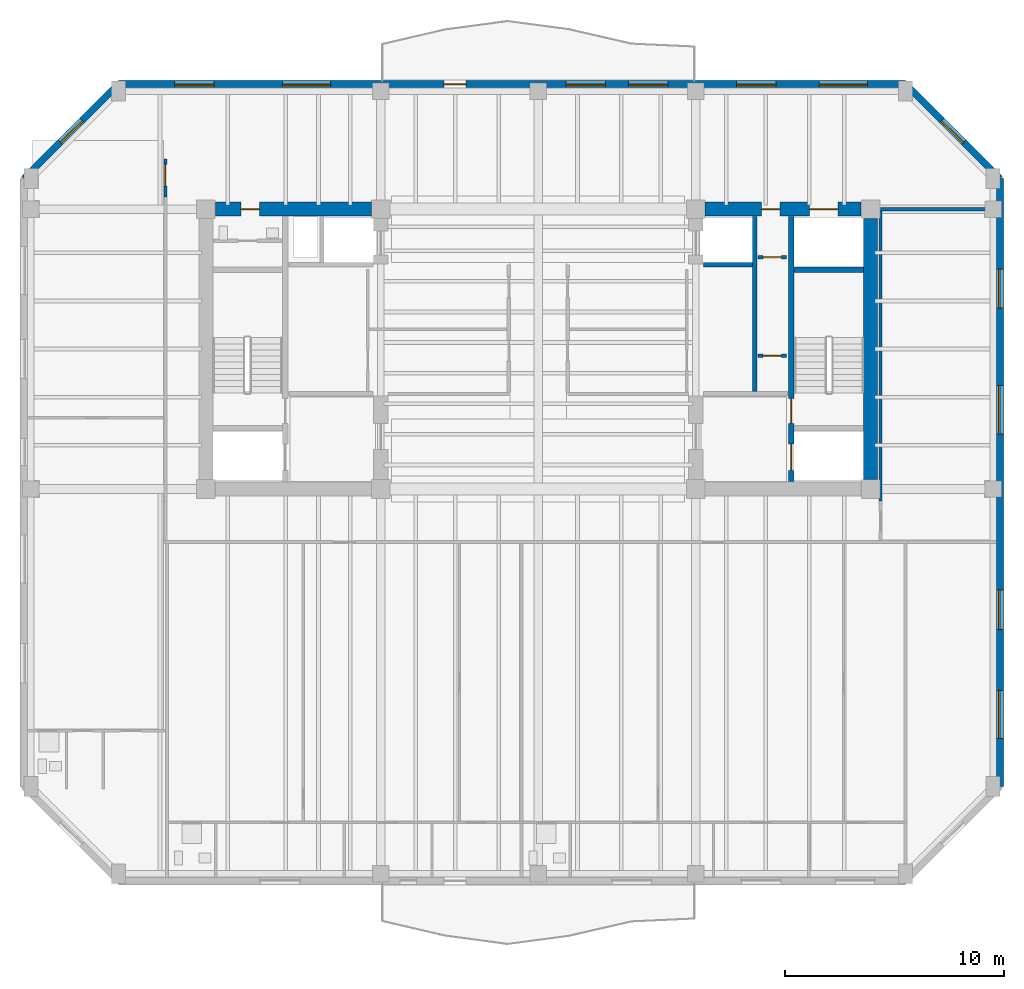
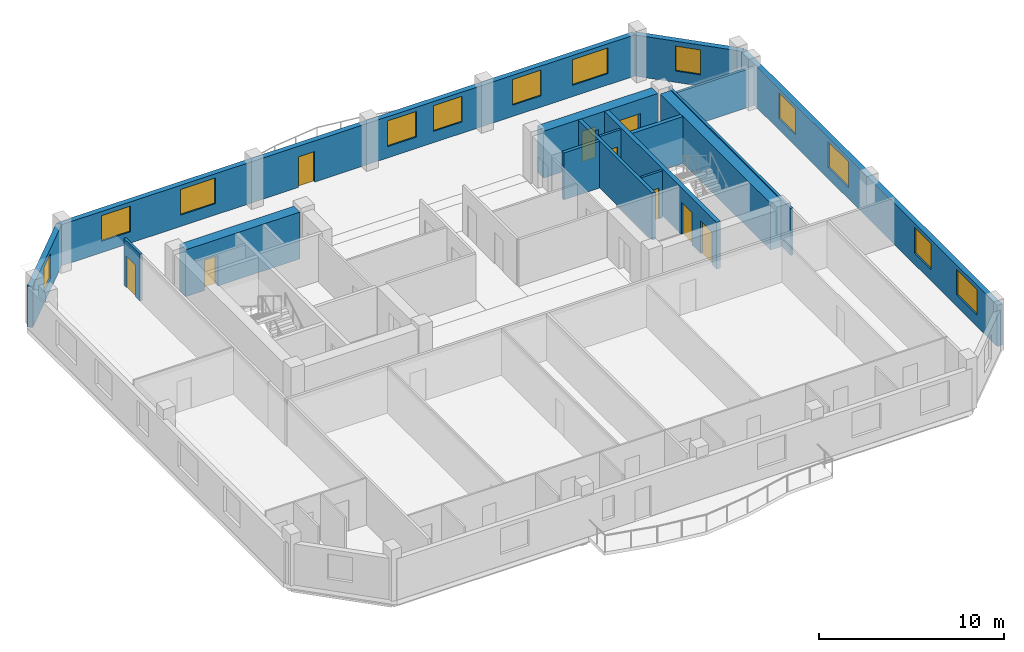
# One storey, part 5 of 11: 16 walls, 12 windows, 9 doors, 21 openings.
"""IFC4 building model written with IfcOpenShell, lengths in metres."""

from ifc_helpers import new_model, si_unit, direction, frame, frame_2d, origin, place, context, subcontext, project, spatial, rectangle, extrude, material, layer, layer_set, type_object, element, fill, save


model = new_model("IFC4")

# Units and contexts
model_context = context("Model", 3, precision=1e-05, world=origin(), true_north=direction((0.0, 1.0)))
body_context = subcontext(model_context, "Body", "Model", "MODEL_VIEW")
ifc_project = project(units=[si_unit("LENGTHUNIT", "METRE"), si_unit("AREAUNIT", "SQUARE_METRE"), si_unit("VOLUMEUNIT", "CUBIC_METRE"), si_unit("PLANEANGLEUNIT", "RADIAN"), si_unit("MASSUNIT", "GRAM", prefix="KILO")], contexts=[model_context])

# Site, building, storey
site_placement = place(None, origin())
site = spatial("IfcSite", under=ifc_project, at=site_placement, CompositionType="ELEMENT")
building_placement = place(site_placement, origin())
building = spatial("IfcBuilding", under=site, at=building_placement, Name="Kranthara Brick Stack", CompositionType="ELEMENT")
storey_placement = place(building_placement, frame((0.0, 0.0, 210.89990234375)))
storey = spatial("IfcBuildingStorey", under=building, at=storey_placement, Name="L54", CompositionType="ELEMENT", Elevation=210.89990234375)

# Wall, opening, window
ifc_material_1 = material(Name="Warm buff clay brick masonry M15", Category="masonry")
ifc_layer_1 = layer(ifc_material_1, 0.320068359375)
ifc_layer_set_1 = layer_set([ifc_layer_1], Name="Warm buff clay brick masonry M15")
wall_type_1 = type_object("IfcWallType", Name="WL-BRK-UPPR-320", PredefinedType="STANDARD", material=ifc_layer_set_1)
wall_1_placement = place(storey_placement, frame((4.47998046875, 35.0, 0.0), z_axis=(0.0, 0.0, 1.0), x_axis=(0.707106781187, 0.707106781187, 0.0)))
wall_1 = element("IfcWall", 1, at=wall_1_placement, inside=storey, type_object=wall_type_1, Name="L54 Exterior Brick Facade Wall NW 1", PredefinedType="STANDARD", context=body_context, shape_type="SweptSolid", body=[
    extrude(rectangle(XDim=6.109619140625, YDim=0.320068359375, at=frame_2d((3.0546875, 0.0))), origin(), (0.0, 0.0, 1.0), 2.72509765625),
])
opening_1_placement = place(wall_1_placement, frame((2.35498046875, 0.0, 0.75)))
opening_1 = element("IfcOpeningElement", 2, at=opening_1_placement, cuts=wall_1, Name="Opening WN10", PredefinedType="OPENING", context=body_context, shape_type="SweptSolid", body=[
    extrude(rectangle(XDim=1.39990234375, YDim=1.64990234375, at=frame_2d((0.699951171875, 0.824951171875))), frame((0.0, 0.169921875, 0.0), z_axis=(0.0, -1.0, 0.0), x_axis=(1.0, 0.0, 0.0)), (0.0, 0.0, 1.0), 0.340087890625),
])
ifc_material_2 = material(Name="Double-glazed low-E solar control glass", Category="glass")
window_type_1 = type_object("IfcWindowType", Name="WN-CHM-1400x1750", PartitioningType="SINGLE_PANEL", PredefinedType="WINDOW", material=ifc_material_2)
window_1_placement = place(opening_1_placement, origin())
window_1 = element("IfcWindow", 3, at=window_1_placement, inside=storey, type_object=window_type_1, Name="L54 NW Chamfer Corner Window", OverallHeight=1.64990234375, OverallWidth=1.39990234375, PartitioningType="SINGLE_PANEL", PredefinedType="WINDOW", context=body_context, shape_type="SweptSolid", body=[
    extrude(rectangle(XDim=1.39990234375, YDim=1.64990234375, at=frame_2d((0.699951171875, 0.824951171875))), frame((0.0, -0.010009765625, 0.0), z_axis=(0.0, -1.0, 0.0), x_axis=(1.0, 0.0, 0.0)), (0.0, 0.0, 1.0), 0.06005859375),
])
fill(opening_1, window_1)

# Wall, openings, door, windows
wall_2_placement = place(storey_placement, frame((8.800048828125, 39.320068359375, 0.0), z_axis=(0.0, 0.0, 1.0), x_axis=(1.0, 0.0, 0.0)))
wall_2 = element("IfcWall", 4, at=wall_2_placement, inside=storey, type_object=wall_type_1, Name="L54 Exterior Brick Facade Wall NORTH 1", PredefinedType="STANDARD", context=body_context, shape_type="SweptSolid", body=[
    extrude(rectangle(XDim=36.0, YDim=0.320068359375, at=frame_2d((18.0, 0.0))), origin(), (0.0, 0.0, 1.0), 2.72509765625),
])
opening_2_placement = place(wall_2_placement, frame((14.89990234375, 0.0, 0.0)))
opening_2 = element("IfcOpeningElement", 5, at=opening_2_placement, cuts=wall_2, Name="Opening D03", PredefinedType="OPENING", context=body_context, shape_type="SweptSolid", body=[
    extrude(rectangle(XDim=1.0, YDim=2.02001953125, at=frame_2d((0.5, 1.010009765625))), frame((0.0, 0.169921875, 0.0), z_axis=(0.0, -1.0, 0.0), x_axis=(1.0, 0.0, 0.0)), (0.0, 0.0, 1.0), 0.340087890625),
])
opening_3_placement = place(wall_2_placement, frame((2.575927734375, 0.0, 0.75)))
opening_3 = element("IfcOpeningElement", 6, at=opening_3_placement, cuts=wall_2, Name="Opening WN07", PredefinedType="OPENING", context=body_context, shape_type="SweptSolid", body=[
    extrude(rectangle(XDim=1.800048828125, YDim=1.699951171875, at=frame_2d((0.89990234375, 0.85009765625))), frame((0.0, 0.169921875, 0.0), z_axis=(0.0, -1.0, 0.0), x_axis=(1.0, 0.0, 0.0)), (0.0, 0.0, 1.0), 0.340087890625),
])
opening_4_placement = place(wall_2_placement, frame((7.5, 0.0, 0.75)))
opening_4 = element("IfcOpeningElement", 7, at=opening_4_placement, cuts=wall_2, Name="Opening WN08", PredefinedType="OPENING", context=body_context, shape_type="SweptSolid", body=[
    extrude(rectangle(XDim=2.199951171875, YDim=1.699951171875, at=frame_2d((1.10009765625, 0.85009765625))), frame((0.0, 0.169921875, 0.0), z_axis=(0.0, -1.0, 0.0), x_axis=(1.0, 0.0, 0.0)), (0.0, 0.0, 1.0), 0.340087890625),
])
opening_5_placement = place(wall_2_placement, frame((20.471923828125, 0.0, 0.75)))
opening_5 = element("IfcOpeningElement", 8, at=opening_5_placement, cuts=wall_2, Name="Opening WN07", PredefinedType="OPENING", context=body_context, shape_type="SweptSolid", body=[
    extrude(rectangle(XDim=1.800048828125, YDim=1.699951171875, at=frame_2d((0.89990234375, 0.85009765625))), frame((0.0, 0.169921875, 0.0), z_axis=(0.0, -1.0, 0.0), x_axis=(1.0, 0.0, 0.0)), (0.0, 0.0, 1.0), 0.340087890625),
])
opening_6_placement = place(wall_2_placement, frame((23.327880859375, 0.0, 0.75)))
opening_6 = element("IfcOpeningElement", 9, at=opening_6_placement, cuts=wall_2, Name="Opening WN07", PredefinedType="OPENING", context=body_context, shape_type="SweptSolid", body=[
    extrude(rectangle(XDim=1.800048828125, YDim=1.699951171875, at=frame_2d((0.89990234375, 0.85009765625))), frame((0.0, 0.169921875, 0.0), z_axis=(0.0, -1.0, 0.0), x_axis=(1.0, 0.0, 0.0)), (0.0, 0.0, 1.0), 0.340087890625),
])
opening_7_placement = place(wall_2_placement, frame((28.277099609375, 0.0, 0.75)))
opening_7 = element("IfcOpeningElement", 10, at=opening_7_placement, cuts=wall_2, Name="Opening WN07", PredefinedType="OPENING", context=body_context, shape_type="SweptSolid", body=[
    extrude(rectangle(XDim=1.800048828125, YDim=1.699951171875, at=frame_2d((0.89990234375, 0.85009765625))), frame((0.0, 0.169921875, 0.0), z_axis=(0.0, -1.0, 0.0), x_axis=(1.0, 0.0, 0.0)), (0.0, 0.0, 1.0), 0.340087890625),
])
opening_8_placement = place(wall_2_placement, frame((32.048095703125, 0.0, 0.75)))
opening_8 = element("IfcOpeningElement", 11, at=opening_8_placement, cuts=wall_2, Name="Opening WN08", PredefinedType="OPENING", context=body_context, shape_type="SweptSolid", body=[
    extrude(rectangle(XDim=2.199951171875, YDim=1.699951171875, at=frame_2d((1.10009765625, 0.85009765625))), frame((0.0, 0.169921875, 0.0), z_axis=(0.0, -1.0, 0.0), x_axis=(1.0, 0.0, 0.0)), (0.0, 0.0, 1.0), 0.340087890625),
])
ifc_material_3 = material(Name="Bronze anodised aluminium and laminated glass", Category="aluminium")
door_type_1 = type_object("IfcDoorType", Name="DR-BALC-1000", OperationType="NOTDEFINED", PredefinedType="DOOR", material=ifc_material_3)
door_1_placement = place(opening_2_placement, origin())
door_1 = element("IfcDoor", 12, at=door_1_placement, inside=storey, type_object=door_type_1, Name="L54 North Balcony Terrace Door", OperationType="SINGLE_SWING_RIGHT", OverallHeight=2.02001953125, OverallWidth=1.0, PredefinedType="DOOR", context=body_context, shape_type="SweptSolid", body=[
    extrude(rectangle(XDim=1.0, YDim=2.02001953125, at=frame_2d((0.5, 1.010009765625))), frame((0.0, 0.02490234375, 0.0), z_axis=(0.0, -1.0, 0.0), x_axis=(1.0, 0.0, 0.0)), (0.0, 0.0, 1.0), 0.050048828125),
])
fill(opening_2, door_1)
ifc_material_4 = material(Name="Double-glazed low-E solar control glass", Category="glass")
window_type_2 = type_object("IfcWindowType", Name="WN-RES-1800x1850", PartitioningType="DOUBLE_PANEL_VERTICAL", PredefinedType="WINDOW", material=ifc_material_4)
window_2_placement = place(opening_3_placement, origin())
window_2 = element("IfcWindow", 13, at=window_2_placement, inside=storey, type_object=window_type_2, Name="L54 North Deep-Set Brick Window 01", OverallHeight=1.699951171875, OverallWidth=1.800048828125, PartitioningType="SINGLE_PANEL", PredefinedType="WINDOW", context=body_context, shape_type="SweptSolid", body=[
    extrude(rectangle(XDim=1.800048828125, YDim=1.699951171875, at=frame_2d((0.89990234375, 0.85009765625))), frame((0.0, -0.010009765625, 0.0), z_axis=(0.0, -1.0, 0.0), x_axis=(1.0, 0.0, 0.0)), (0.0, 0.0, 1.0), 0.06005859375),
])
fill(opening_3, window_2)
window_3_placement = place(opening_5_placement, origin())
window_3 = element("IfcWindow", 14, at=window_3_placement, inside=storey, type_object=window_type_2, Name="L54 North Deep-Set Brick Window 03", OverallHeight=1.699951171875, OverallWidth=1.800048828125, PartitioningType="SINGLE_PANEL", PredefinedType="WINDOW", context=body_context, shape_type="SweptSolid", body=[
    extrude(rectangle(XDim=1.800048828125, YDim=1.699951171875, at=frame_2d((0.89990234375, 0.85009765625))), frame((0.0, -0.010009765625, 0.0), z_axis=(0.0, -1.0, 0.0), x_axis=(1.0, 0.0, 0.0)), (0.0, 0.0, 1.0), 0.06005859375),
])
fill(opening_5, window_3)
window_4_placement = place(opening_6_placement, origin())
window_4 = element("IfcWindow", 15, at=window_4_placement, inside=storey, type_object=window_type_2, Name="L54 North Deep-Set Brick Window 04", OverallHeight=1.699951171875, OverallWidth=1.800048828125, PartitioningType="SINGLE_PANEL", PredefinedType="WINDOW", context=body_context, shape_type="SweptSolid", body=[
    extrude(rectangle(XDim=1.800048828125, YDim=1.699951171875, at=frame_2d((0.89990234375, 0.85009765625))), frame((0.0, -0.010009765625, 0.0), z_axis=(0.0, -1.0, 0.0), x_axis=(1.0, 0.0, 0.0)), (0.0, 0.0, 1.0), 0.06005859375),
])
fill(opening_6, window_4)
window_5_placement = place(opening_7_placement, origin())
window_5 = element("IfcWindow", 16, at=window_5_placement, inside=storey, type_object=window_type_2, Name="L54 North Deep-Set Brick Window 05", OverallHeight=1.699951171875, OverallWidth=1.800048828125, PartitioningType="SINGLE_PANEL", PredefinedType="WINDOW", context=body_context, shape_type="SweptSolid", body=[
    extrude(rectangle(XDim=1.800048828125, YDim=1.699951171875, at=frame_2d((0.89990234375, 0.85009765625))), frame((0.0, -0.010009765625, 0.0), z_axis=(0.0, -1.0, 0.0), x_axis=(1.0, 0.0, 0.0)), (0.0, 0.0, 1.0), 0.06005859375),
])
fill(opening_7, window_5)
ifc_material_5 = material(Name="Double-glazed low-E solar control glass", Category="glass")
window_type_3 = type_object("IfcWindowType", Name="WN-RES-2200x1850", PartitioningType="TRIPLE_PANEL_VERTICAL", PredefinedType="WINDOW", material=ifc_material_5)
window_6_placement = place(opening_4_placement, origin())
window_6 = element("IfcWindow", 17, at=window_6_placement, inside=storey, type_object=window_type_3, Name="L54 North Deep-Set Brick Window 02", OverallHeight=1.699951171875, OverallWidth=2.199951171875, PartitioningType="SINGLE_PANEL", PredefinedType="WINDOW", context=body_context, shape_type="SweptSolid", body=[
    extrude(rectangle(XDim=2.199951171875, YDim=1.699951171875, at=frame_2d((1.10009765625, 0.85009765625))), frame((0.0, -0.010009765625, 0.0), z_axis=(0.0, -1.0, 0.0), x_axis=(1.0, 0.0, 0.0)), (0.0, 0.0, 1.0), 0.06005859375),
])
fill(opening_4, window_6)
window_7_placement = place(opening_8_placement, origin())
window_7 = element("IfcWindow", 18, at=window_7_placement, inside=storey, type_object=window_type_3, Name="L54 North Deep-Set Brick Window 06", OverallHeight=1.699951171875, OverallWidth=2.199951171875, PartitioningType="SINGLE_PANEL", PredefinedType="WINDOW", context=body_context, shape_type="SweptSolid", body=[
    extrude(rectangle(XDim=2.199951171875, YDim=1.699951171875, at=frame_2d((1.10009765625, 0.85009765625))), frame((0.0, -0.010009765625, 0.0), z_axis=(0.0, -1.0, 0.0), x_axis=(1.0, 0.0, 0.0)), (0.0, 0.0, 1.0), 0.06005859375),
])
fill(opening_8, window_7)

# Wall, opening, window
wall_3_placement = place(storey_placement, frame((44.800048828125, 39.320068359375, 0.0), z_axis=(0.0, 0.0, 1.0), x_axis=(0.707106781187, -0.707106781187, 0.0)))
wall_3 = element("IfcWall", 19, at=wall_3_placement, inside=storey, type_object=wall_type_1, Name="L54 Exterior Brick Facade Wall NE 1", PredefinedType="STANDARD", context=body_context, shape_type="SweptSolid", body=[
    extrude(rectangle(XDim=6.109619140625, YDim=0.320068359375, at=frame_2d((3.0546875, 0.0))), origin(), (0.0, 0.0, 1.0), 2.72509765625),
])
opening_9_placement = place(wall_3_placement, frame((2.35498046875, 0.0, 0.75)))
opening_9 = element("IfcOpeningElement", 20, at=opening_9_placement, cuts=wall_3, Name="Opening WN10", PredefinedType="OPENING", context=body_context, shape_type="SweptSolid", body=[
    extrude(rectangle(XDim=1.39990234375, YDim=1.64990234375, at=frame_2d((0.699951171875, 0.824951171875))), frame((0.0, 0.169921875, 0.0), z_axis=(0.0, -1.0, 0.0), x_axis=(1.0, 0.0, 0.0)), (0.0, 0.0, 1.0), 0.340087890625),
])
window_8_placement = place(opening_9_placement, origin())
window_8 = element("IfcWindow", 21, at=window_8_placement, inside=storey, type_object=window_type_1, Name="L54 NE Chamfer Corner Window", OverallHeight=1.64990234375, OverallWidth=1.39990234375, PartitioningType="SINGLE_PANEL", PredefinedType="WINDOW", context=body_context, shape_type="SweptSolid", body=[
    extrude(rectangle(XDim=1.39990234375, YDim=1.64990234375, at=frame_2d((0.699951171875, 0.824951171875))), frame((0.0, -0.010009765625, 0.0), z_axis=(0.0, -1.0, 0.0), x_axis=(1.0, 0.0, 0.0)), (0.0, 0.0, 1.0), 0.06005859375),
])
fill(opening_9, window_8)

# Wall, openings, windows
wall_4_placement = place(storey_placement, frame((49.1201171875, 35.0, 0.0), z_axis=(0.0, 0.0, 1.0), x_axis=(0.0, -1.0, 0.0)))
wall_4 = element("IfcWall", 22, at=wall_4_placement, inside=storey, type_object=wall_type_1, Name="L54 Exterior Brick Facade Wall EAST 1", PredefinedType="STANDARD", context=body_context, shape_type="SweptSolid", body=[
    extrude(rectangle(XDim=27.800048828125, YDim=0.320068359375, at=frame_2d((13.89990234375, 0.0))), origin(), (0.0, 0.0, 1.0), 2.72509765625),
])
opening_10_placement = place(wall_4_placement, frame((4.1279296875, 0.0, 0.75)))
opening_10 = element("IfcOpeningElement", 23, at=opening_10_placement, cuts=wall_4, Name="Opening WN07", PredefinedType="OPENING", context=body_context, shape_type="SweptSolid", body=[
    extrude(rectangle(XDim=1.800048828125, YDim=1.699951171875, at=frame_2d((0.89990234375, 0.85009765625))), frame((0.0, 0.169921875, 0.0), z_axis=(0.0, -1.0, 0.0), x_axis=(1.0, 0.0, 0.0)), (0.0, 0.0, 1.0), 0.340087890625),
])
opening_11_placement = place(wall_4_placement, frame((9.471923828125, 0.0, 0.75)))
opening_11 = element("IfcOpeningElement", 24, at=opening_11_placement, cuts=wall_4, Name="Opening WN08", PredefinedType="OPENING", context=body_context, shape_type="SweptSolid", body=[
    extrude(rectangle(XDim=2.199951171875, YDim=1.699951171875, at=frame_2d((1.10009765625, 0.85009765625))), frame((0.0, 0.169921875, 0.0), z_axis=(0.0, -1.0, 0.0), x_axis=(1.0, 0.0, 0.0)), (0.0, 0.0, 1.0), 0.340087890625),
])
opening_12_placement = place(wall_4_placement, frame((18.81494140625, 0.0, 0.75)))
opening_12 = element("IfcOpeningElement", 25, at=opening_12_placement, cuts=wall_4, Name="Opening WN07", PredefinedType="OPENING", context=body_context, shape_type="SweptSolid", body=[
    extrude(rectangle(XDim=1.800048828125, YDim=1.699951171875, at=frame_2d((0.89990234375, 0.85009765625))), frame((0.0, 0.169921875, 0.0), z_axis=(0.0, -1.0, 0.0), x_axis=(1.0, 0.0, 0.0)), (0.0, 0.0, 1.0), 0.340087890625),
])
opening_13_placement = place(wall_4_placement, frame((23.405029296875, 0.0, 0.75)))
opening_13 = element("IfcOpeningElement", 26, at=opening_13_placement, cuts=wall_4, Name="Opening WN08", PredefinedType="OPENING", context=body_context, shape_type="SweptSolid", body=[
    extrude(rectangle(XDim=2.199951171875, YDim=1.699951171875, at=frame_2d((1.10009765625, 0.85009765625))), frame((0.0, 0.169921875, 0.0), z_axis=(0.0, -1.0, 0.0), x_axis=(1.0, 0.0, 0.0)), (0.0, 0.0, 1.0), 0.340087890625),
])
window_9_placement = place(opening_10_placement, origin())
window_9 = element("IfcWindow", 27, at=window_9_placement, inside=storey, type_object=window_type_2, Name="L54 East Deep-Set Brick Window 01", OverallHeight=1.699951171875, OverallWidth=1.800048828125, PartitioningType="SINGLE_PANEL", PredefinedType="WINDOW", context=body_context, shape_type="SweptSolid", body=[
    extrude(rectangle(XDim=1.800048828125, YDim=1.699951171875, at=frame_2d((0.89990234375, 0.85009765625))), frame((0.0, -0.010009765625, 0.0), z_axis=(0.0, -1.0, 0.0), x_axis=(1.0, 0.0, 0.0)), (0.0, 0.0, 1.0), 0.06005859375),
])
fill(opening_10, window_9)
window_10_placement = place(opening_12_placement, origin())
window_10 = element("IfcWindow", 28, at=window_10_placement, inside=storey, type_object=window_type_2, Name="L54 East Deep-Set Brick Window 03", OverallHeight=1.699951171875, OverallWidth=1.800048828125, PartitioningType="SINGLE_PANEL", PredefinedType="WINDOW", context=body_context, shape_type="SweptSolid", body=[
    extrude(rectangle(XDim=1.800048828125, YDim=1.699951171875, at=frame_2d((0.89990234375, 0.85009765625))), frame((0.0, -0.010009765625, 0.0), z_axis=(0.0, -1.0, 0.0), x_axis=(1.0, 0.0, 0.0)), (0.0, 0.0, 1.0), 0.06005859375),
])
fill(opening_12, window_10)
window_11_placement = place(opening_11_placement, origin())
window_11 = element("IfcWindow", 29, at=window_11_placement, inside=storey, type_object=window_type_3, Name="L54 East Deep-Set Brick Window 02", OverallHeight=1.699951171875, OverallWidth=2.199951171875, PartitioningType="SINGLE_PANEL", PredefinedType="WINDOW", context=body_context, shape_type="SweptSolid", body=[
    extrude(rectangle(XDim=2.199951171875, YDim=1.699951171875, at=frame_2d((1.10009765625, 0.85009765625))), frame((0.0, -0.010009765625, 0.0), z_axis=(0.0, -1.0, 0.0), x_axis=(1.0, 0.0, 0.0)), (0.0, 0.0, 1.0), 0.06005859375),
])
fill(opening_11, window_11)
window_12_placement = place(opening_13_placement, origin())
window_12 = element("IfcWindow", 30, at=window_12_placement, inside=storey, type_object=window_type_3, Name="L54 East Deep-Set Brick Window 04", OverallHeight=1.699951171875, OverallWidth=2.199951171875, PartitioningType="SINGLE_PANEL", PredefinedType="WINDOW", context=body_context, shape_type="SweptSolid", body=[
    extrude(rectangle(XDim=2.199951171875, YDim=1.699951171875, at=frame_2d((1.10009765625, 0.85009765625))), frame((0.0, -0.010009765625, 0.0), z_axis=(0.0, -1.0, 0.0), x_axis=(1.0, 0.0, 0.0)), (0.0, 0.0, 1.0), 0.06005859375),
])
fill(opening_13, window_12)

# Wall, openings, doors
ifc_material_6 = material(Name="Concrete C50/60", Category="concrete")
ifc_layer_2 = layer(ifc_material_6, 0.25)
ifc_layer_set_2 = layer_set([ifc_layer_2], Name="Concrete C50/60")
wall_type_2 = type_object("IfcWallType", Name="WL-CORE-250", PredefinedType="SHEAR", material=ifc_layer_set_2)
wall_5_placement = place(storey_placement, frame((39.56494140625, 21.135009765625, 0.0), z_axis=(0.0, 0.0, 1.0), x_axis=(0.0, 1.0, 0.0)))
wall_5 = element("IfcWall", 31, at=wall_5_placement, inside=storey, type_object=wall_type_2, Name="L54 East Core Stair Bearing Spine Wall", PredefinedType="SHEAR", context=body_context, shape_type="SweptSolid", body=[
    extrude(rectangle(XDim=12.1298828125, YDim=0.25, at=frame_2d((6.06494140625, 0.0))), origin(), (0.0, 0.0, 1.0), 3.10009765625),
])
opening_14_placement = place(wall_5_placement, frame((0.514892578125, 0.0, 0.0)))
opening_14 = element("IfcOpeningElement", 32, at=opening_14_placement, cuts=wall_5, Name="Opening LD01", PredefinedType="OPENING", context=body_context, shape_type="SweptSolid", body=[
    extrude(rectangle(XDim=1.199951171875, YDim=2.14990234375, at=frame_2d((0.60009765625, 1.074951171875))), frame((0.0, 0.135009765625, 0.0), z_axis=(0.0, -1.0, 0.0), x_axis=(1.0, 0.0, 0.0)), (0.0, 0.0, 1.0), 0.27001953125),
])
opening_15_placement = place(wall_5_placement, frame((2.6650390625, 0.0, 0.0)))
opening_15 = element("IfcOpeningElement", 33, at=opening_15_placement, cuts=wall_5, Name="Opening D05", PredefinedType="OPENING", context=body_context, shape_type="SweptSolid", body=[
    extrude(rectangle(XDim=1.14990234375, YDim=2.14990234375, at=frame_2d((0.574951171875, 1.074951171875))), frame((0.0, 0.135009765625, 0.0), z_axis=(0.0, -1.0, 0.0), x_axis=(1.0, 0.0, 0.0)), (0.0, 0.0, 1.0), 0.27001953125),
])
ifc_material_7 = material(Name="Stainless steel sliding landing door", Category="steel")
door_type_2 = type_object("IfcDoorType", Name="DR-LD-FF1200", OperationType="DOUBLE_DOOR_SLIDING", PredefinedType="DOOR", material=ifc_material_7)
door_2_placement = place(opening_14_placement, origin())
door_2 = element("IfcDoor", 34, at=door_2_placement, inside=storey, type_object=door_type_2, Name="L54 Firefighting Lift FF-02 Landing Door", OperationType="DOUBLE_DOOR_SLIDING", OverallHeight=2.14990234375, OverallWidth=1.199951171875, PredefinedType="DOOR", context=body_context, shape_type="SweptSolid", body=[
    extrude(rectangle(XDim=1.199951171875, YDim=2.14990234375, at=frame_2d((0.60009765625, 1.074951171875))), frame((0.0, 0.02490234375, 0.0), z_axis=(0.0, -1.0, 0.0), x_axis=(1.0, 0.0, 0.0)), (0.0, 0.0, 1.0), 0.050048828125),
])
fill(opening_14, door_2)
ifc_material_8 = material(Name="Solid-core hardwood timber leaf in steel frame", Category="steel")
door_type_3 = type_object("IfcDoorType", Name="DR-ST-1150", OperationType="NOTDEFINED", PredefinedType="DOOR", material=ifc_material_8)
door_3_placement = place(opening_15_placement, origin())
door_3 = element("IfcDoor", 35, at=door_3_placement, inside=storey, type_object=door_type_3, Name="L54 Exit Stair ST02 Door", OperationType="SINGLE_SWING_LEFT", OverallHeight=2.14990234375, OverallWidth=1.14990234375, PredefinedType="DOOR", context=body_context, shape_type="SweptSolid", body=[
    extrude(rectangle(XDim=1.14990234375, YDim=2.14990234375, at=frame_2d((0.574951171875, 1.074951171875))), frame((0.0, 0.02490234375, 0.0), z_axis=(0.0, -1.0, 0.0), x_axis=(1.0, 0.0, 0.0)), (0.0, 0.0, 1.0), 0.050048828125),
])
fill(opening_15, door_3)

# Wall
wall_6_placement = place(storey_placement, frame((39.68994140625, 30.830078125, 0.0), z_axis=(0.0, 0.0, 1.0), x_axis=(1.0, 0.0, 0.0)))
element("IfcWall", 36, at=wall_6_placement, inside=storey, type_object=wall_type_2, Name="L54 East Stairwell Bearing Wall EST", PredefinedType="SHEAR", context=body_context, shape_type="SweptSolid", body=[
    extrude(rectangle(XDim=3.175048828125, YDim=0.25, at=frame_2d((1.58740234375, 0.0))), origin(), (0.0, 0.0, 1.0), 3.10009765625),
])

# Wall, opening, door
ifc_material_9 = material(Name="Concrete C60/75", Category="concrete")
ifc_layer_3 = layer(ifc_material_9, 0.64990234375)
ifc_layer_set_3 = layer_set([ifc_layer_3], Name="Concrete C60/75")
wall_type_3 = type_object("IfcWallType", Name="WL-CORE-650", PredefinedType="SHEAR", material=ifc_layer_set_3)
wall_7_placement = place(storey_placement, frame((13.22998046875, 33.60009765625, 0.0), z_axis=(0.0, 0.0, 1.0), x_axis=(1.0, 0.0, 0.0)))
wall_7 = element("IfcWall", 37, at=wall_7_placement, inside=storey, type_object=wall_type_3, Name="L54 West Core Shear Wall North", PredefinedType="SHEAR", context=body_context, shape_type="SweptSolid", body=[
    extrude(rectangle(XDim=7.14013671875, YDim=0.64990234375, at=frame_2d((3.570068359375, 0.0))), origin(), (0.0, 0.0, 1.0), 3.10009765625),
])
opening_16_placement = place(wall_7_placement, frame((1.169921875, 0.0, 0.0)))
opening_16 = element("IfcOpeningElement", 38, at=opening_16_placement, cuts=wall_7, Name="Opening D10", PredefinedType="OPENING", context=body_context, shape_type="SweptSolid", body=[
    extrude(rectangle(XDim=0.85009765625, YDim=2.02001953125, at=frame_2d((0.425048828125, 1.010009765625))), frame((0.0, 0.3349609375, 0.0), z_axis=(0.0, -1.0, 0.0), x_axis=(1.0, 0.0, 0.0)), (0.0, 0.0, 1.0), 0.669921875),
])
ifc_material_10 = material(Name="Solid-core hardwood timber leaf in steel frame", Category="steel")
door_type_4 = type_object("IfcDoorType", Name="DR-RSR-850", OperationType="NOTDEFINED", PredefinedType="DOOR", material=ifc_material_10)
door_4_placement = place(opening_16_placement, origin())
door_4 = element("IfcDoor", 39, at=door_4_placement, inside=storey, type_object=door_type_4, Name="L54 West Core Service Door 1", OperationType="SINGLE_SWING_LEFT", OverallHeight=2.02001953125, OverallWidth=0.85009765625, PredefinedType="DOOR", context=body_context, shape_type="SweptSolid", body=[
    extrude(rectangle(XDim=0.85009765625, YDim=2.02001953125, at=frame_2d((0.425048828125, 1.010009765625))), frame((0.0, 0.02490234375, 0.0), z_axis=(0.0, -1.0, 0.0), x_axis=(1.0, 0.0, 0.0)), (0.0, 0.0, 1.0), 0.050048828125),
])
fill(opening_16, door_4)

# Wall
wall_8_placement = place(storey_placement, frame((43.199951171875, 21.22998046875, 0.0), z_axis=(0.0, 0.0, 1.0), x_axis=(0.0, 1.0, 0.0)))
element("IfcWall", 40, at=wall_8_placement, inside=storey, type_object=wall_type_3, Name="L54 East Core Shear Wall East", PredefinedType="SHEAR", context=body_context, shape_type="SweptSolid", body=[
    extrude(rectangle(XDim=11.93994140625, YDim=0.64990234375, at=frame_2d((5.969970703125, 0.0))), origin(), (0.0, 0.0, 1.0), 3.10009765625),
])

# Wall, openings, doors
wall_9_placement = place(storey_placement, frame((35.6298828125, 33.60009765625, 0.0), z_axis=(0.0, 0.0, 1.0), x_axis=(1.0, 0.0, 0.0)))
wall_9 = element("IfcWall", 41, at=wall_9_placement, inside=storey, type_object=wall_type_3, Name="L54 East Core Shear Wall North", PredefinedType="SHEAR", context=body_context, shape_type="SweptSolid", body=[
    extrude(rectangle(XDim=7.14013671875, YDim=0.64990234375, at=frame_2d((3.570068359375, 0.0))), origin(), (0.0, 0.0, 1.0), 3.10009765625),
])
opening_17_placement = place(wall_9_placement, frame((4.77001953125, 0.0, 0.0)))
opening_17 = element("IfcOpeningElement", 42, at=opening_17_placement, cuts=wall_9, Name="Opening LD03", PredefinedType="OPENING", context=body_context, shape_type="SweptSolid", body=[
    extrude(rectangle(XDim=1.300048828125, YDim=2.14990234375, at=frame_2d((0.64990234375, 1.074951171875))), frame((0.0, 0.3349609375, 0.0), z_axis=(0.0, -1.0, 0.0), x_axis=(1.0, 0.0, 0.0)), (0.0, 0.0, 1.0), 0.669921875),
])
opening_18_placement = place(wall_9_placement, frame((2.570068359375, 0.0, 0.0)))
opening_18 = element("IfcOpeningElement", 43, at=opening_18_placement, cuts=wall_9, Name="Opening D10", PredefinedType="OPENING", context=body_context, shape_type="SweptSolid", body=[
    extrude(rectangle(XDim=0.85009765625, YDim=2.02001953125, at=frame_2d((0.425048828125, 1.010009765625))), frame((0.0, 0.3349609375, 0.0), z_axis=(0.0, -1.0, 0.0), x_axis=(1.0, 0.0, 0.0)), (0.0, 0.0, 1.0), 0.669921875),
])
ifc_material_11 = material(Name="Stainless steel sliding landing door", Category="steel")
door_type_5 = type_object("IfcDoorType", Name="DR-LD-SV1300", OperationType="DOUBLE_DOOR_SLIDING", PredefinedType="DOOR", material=ifc_material_11)
door_5_placement = place(opening_17_placement, origin())
door_5 = element("IfcDoor", 44, at=door_5_placement, inside=storey, type_object=door_type_5, Name="L54 Stretcher Service Lift SV-01 Landing Door", OperationType="DOUBLE_DOOR_SLIDING", OverallHeight=2.14990234375, OverallWidth=1.300048828125, PredefinedType="DOOR", context=body_context, shape_type="SweptSolid", body=[
    extrude(rectangle(XDim=1.300048828125, YDim=2.14990234375, at=frame_2d((0.64990234375, 1.074951171875))), frame((0.0, 0.02490234375, 0.0), z_axis=(0.0, -1.0, 0.0), x_axis=(1.0, 0.0, 0.0)), (0.0, 0.0, 1.0), 0.050048828125),
])
fill(opening_17, door_5)
door_6_placement = place(opening_18_placement, origin())
door_6 = element("IfcDoor", 45, at=door_6_placement, inside=storey, type_object=door_type_4, Name="L54 East Core Service Room Door", OperationType="SINGLE_SWING_LEFT", OverallHeight=2.02001953125, OverallWidth=0.85009765625, PredefinedType="DOOR", context=body_context, shape_type="SweptSolid", body=[
    extrude(rectangle(XDim=0.85009765625, YDim=2.02001953125, at=frame_2d((0.425048828125, 1.010009765625))), frame((0.0, 0.02490234375, 0.0), z_axis=(0.0, -1.0, 0.0), x_axis=(1.0, 0.0, 0.0)), (0.0, 0.0, 1.0), 0.050048828125),
])
fill(opening_18, door_6)

# Wall, opening, door
ifc_material_12 = material(Name="Fire-rated gypsum board partition", Category="other")
ifc_layer_4 = layer(ifc_material_12, 0.14990234375)
ifc_layer_set_4 = layer_set([ifc_layer_4], Name="Fire-rated gypsum board partition")
wall_type_4 = type_object("IfcWallType", Name="WL-PART-150", PredefinedType="PARTITIONING", material=ifc_layer_set_4)
wall_10_placement = place(storey_placement, frame((38.050048828125, 26.89990234375, 0.0), z_axis=(0.0, 0.0, 1.0), x_axis=(1.0, 0.0, 0.0)))
wall_10 = element("IfcWall", 46, at=wall_10_placement, inside=storey, type_object=wall_type_4, Name="L54 Interior Partition 002", PredefinedType="PARTITIONING", context=body_context, shape_type="SweptSolid", body=[
    extrude(rectangle(XDim=1.300048828125, YDim=0.14990234375, at=frame_2d((0.64990234375, 0.0))), origin(), (0.0, 0.0, 1.0), 3.10009765625),
])
opening_19_placement = place(wall_10_placement, frame((0.219970703125, 0.0, 0.0)))
opening_19 = element("IfcOpeningElement", 47, at=opening_19_placement, cuts=wall_10, Name="Opening D10", PredefinedType="OPENING", context=body_context, shape_type="SweptSolid", body=[
    extrude(rectangle(XDim=0.85009765625, YDim=2.02001953125, at=frame_2d((0.425048828125, 1.010009765625))), frame((0.0, 0.0849609375, 0.0), z_axis=(0.0, -1.0, 0.0), x_axis=(1.0, 0.0, 0.0)), (0.0, 0.0, 1.0), 0.169921875),
])
door_7_placement = place(opening_19_placement, origin())
door_7 = element("IfcDoor", 48, at=door_7_placement, inside=storey, type_object=door_type_4, Name="L54 East Valve Door 02", OperationType="SINGLE_SWING_RIGHT", OverallHeight=2.02001953125, OverallWidth=0.85009765625, PredefinedType="DOOR", context=body_context, shape_type="SweptSolid", body=[
    extrude(rectangle(XDim=0.85009765625, YDim=2.02001953125, at=frame_2d((0.425048828125, 1.010009765625))), frame((0.0, 0.02490234375, 0.0), z_axis=(0.0, -1.0, 0.0), x_axis=(1.0, 0.0, 0.0)), (0.0, 0.0, 1.0), 0.050048828125),
])
fill(opening_19, door_7)

wall_11_placement = place(storey_placement, frame((38.050048828125, 31.39990234375, 0.0), z_axis=(0.0, 0.0, 1.0), x_axis=(1.0, 0.0, 0.0)))
wall_11 = element("IfcWall", 49, at=wall_11_placement, inside=storey, type_object=wall_type_4, Name="L54 Interior Partition 003", PredefinedType="PARTITIONING", context=body_context, shape_type="SweptSolid", body=[
    extrude(rectangle(XDim=1.300048828125, YDim=0.14990234375, at=frame_2d((0.64990234375, 0.0))), origin(), (0.0, 0.0, 1.0), 3.10009765625),
])
opening_20_placement = place(wall_11_placement, frame((0.219970703125, 0.0, 0.0)))
opening_20 = element("IfcOpeningElement", 50, at=opening_20_placement, cuts=wall_11, Name="Opening D10", PredefinedType="OPENING", context=body_context, shape_type="SweptSolid", body=[
    extrude(rectangle(XDim=0.85009765625, YDim=2.02001953125, at=frame_2d((0.425048828125, 1.010009765625))), frame((0.0, 0.0849609375, 0.0), z_axis=(0.0, -1.0, 0.0), x_axis=(1.0, 0.0, 0.0)), (0.0, 0.0, 1.0), 0.169921875),
])
door_8_placement = place(opening_20_placement, origin())
door_8 = element("IfcDoor", 51, at=door_8_placement, inside=storey, type_object=door_type_4, Name="L54 East Switch Door 03", OperationType="SINGLE_SWING_LEFT", OverallHeight=2.02001953125, OverallWidth=0.85009765625, PredefinedType="DOOR", context=body_context, shape_type="SweptSolid", body=[
    extrude(rectangle(XDim=0.85009765625, YDim=2.02001953125, at=frame_2d((0.425048828125, 1.010009765625))), frame((0.0, 0.02490234375, 0.0), z_axis=(0.0, -1.0, 0.0), x_axis=(1.0, 0.0, 0.0)), (0.0, 0.0, 1.0), 0.050048828125),
])
fill(opening_20, door_8)

wall_12_placement = place(storey_placement, frame((10.949951171875, 34.14990234375, 0.0), z_axis=(0.0, 0.0, 1.0), x_axis=(0.0, 1.0, 0.0)))
wall_12 = element("IfcWall", 52, at=wall_12_placement, inside=storey, type_object=wall_type_4, Name="L54 Interior Partition 031", PredefinedType="PARTITIONING", context=body_context, shape_type="SweptSolid", body=[
    extrude(rectangle(XDim=1.75, YDim=0.14990234375, at=frame_2d((0.875, 0.0))), origin(), (0.0, 0.0, 1.0), 3.10009765625),
])
opening_21_placement = place(wall_12_placement, frame((0.5, 0.0, 0.0)))
opening_21 = element("IfcOpeningElement", 53, at=opening_21_placement, cuts=wall_12, Name="Opening D08", PredefinedType="OPENING", context=body_context, shape_type="SweptSolid", body=[
    extrude(rectangle(XDim=1.0, YDim=2.10009765625, at=frame_2d((0.5, 1.050048828125))), frame((0.0, 0.0849609375, 0.0), z_axis=(0.0, -1.0, 0.0), x_axis=(1.0, 0.0, 0.0)), (0.0, 0.0, 1.0), 0.169921875),
])
ifc_material_13 = material(Name="Solid-core hardwood timber leaf in steel frame", Category="steel")
door_type_6 = type_object("IfcDoorType", Name="DR-FD-1000", OperationType="NOTDEFINED", PredefinedType="DOOR", material=ifc_material_13)
door_9_placement = place(opening_21_placement, origin())
door_9 = element("IfcDoor", 54, at=door_9_placement, inside=storey, type_object=door_type_6, Name="L54 Unit L54C Entrance 24", OperationType="SINGLE_SWING_RIGHT", OverallHeight=2.10009765625, OverallWidth=1.0, PredefinedType="DOOR", context=body_context, shape_type="SweptSolid", body=[
    extrude(rectangle(XDim=1.0, YDim=2.10009765625, at=frame_2d((0.5, 1.050048828125))), frame((0.0, 0.02490234375, 0.0), z_axis=(0.0, -1.0, 0.0), x_axis=(1.0, 0.0, 0.0)), (0.0, 0.0, 1.0), 0.050048828125),
])
fill(opening_21, door_9)

# Walls
wall_13_placement = place(storey_placement, frame((43.64990234375, 33.60009765625, 0.0), z_axis=(0.0, 0.0, 1.0), x_axis=(1.0, 0.0, 0.0)))
element("IfcWall", 55, at=wall_13_placement, inside=storey, type_object=wall_type_4, Name="L54 Interior Partition 038", PredefinedType="PARTITIONING", context=body_context, shape_type="SweptSolid", body=[
    extrude(rectangle(XDim=5.30517578125, YDim=0.14990234375, at=frame_2d((2.652587890625, 0.0))), origin(), (0.0, 0.0, 1.0), 2.53515625),
])
wall_14_placement = place(storey_placement, frame((43.64990234375, 20.25, 0.0), z_axis=(0.0, 0.0, 1.0), x_axis=(0.0, 1.0, 0.0)))
element("IfcWall", 56, at=wall_14_placement, inside=storey, type_object=wall_type_4, Name="L54 Interior Partition 040", PredefinedType="PARTITIONING", context=body_context, shape_type="SweptSolid", body=[
    extrude(rectangle(XDim=13.27001953125, YDim=0.14990234375, at=frame_2d((6.635009765625, 0.0))), origin(), (0.0, 0.0, 1.0), 3.10009765625),
])
ifc_material_14 = material(Name="Concrete C40/50", Category="concrete")
ifc_layer_5 = layer(ifc_material_14, 0.199951171875)
ifc_layer_set_5 = layer_set([ifc_layer_5], Name="Concrete C40/50")
wall_type_5 = type_object("IfcWallType", Name="WL-PART-200", PredefinedType="SOLIDWALL", material=ifc_layer_set_5)
wall_15_placement = place(storey_placement, frame((35.550048828125, 31.050048828125, 0.0), z_axis=(0.0, 0.0, 1.0), x_axis=(1.0, 0.0, 0.0)))
element("IfcWall", 57, at=wall_15_placement, inside=storey, type_object=wall_type_5, Name="L54 East Core Cross Wall EE4", PredefinedType="SOLIDWALL", context=body_context, shape_type="SweptSolid", body=[
    extrude(rectangle(XDim=2.25, YDim=0.199951171875, at=frame_2d((1.125, 0.0))), origin(), (0.0, 0.0, 1.0), 3.10009765625),
])
wall_16_placement = place(storey_placement, frame((37.89990234375, 25.27001953125, 0.0), z_axis=(0.0, 0.0, 1.0), x_axis=(0.0, 1.0, 0.0)))
element("IfcWall", 58, at=wall_16_placement, inside=storey, type_object=wall_type_5, Name="L54 East Core Cross Wall ESV", PredefinedType="SOLIDWALL", context=body_context, shape_type="SweptSolid", body=[
    extrude(rectangle(XDim=7.994873046875, YDim=0.199951171875, at=frame_2d((3.99755859375, 0.0))), origin(), (0.0, 0.0, 1.0), 3.10009765625),
])

save(model, "model.ifc")
